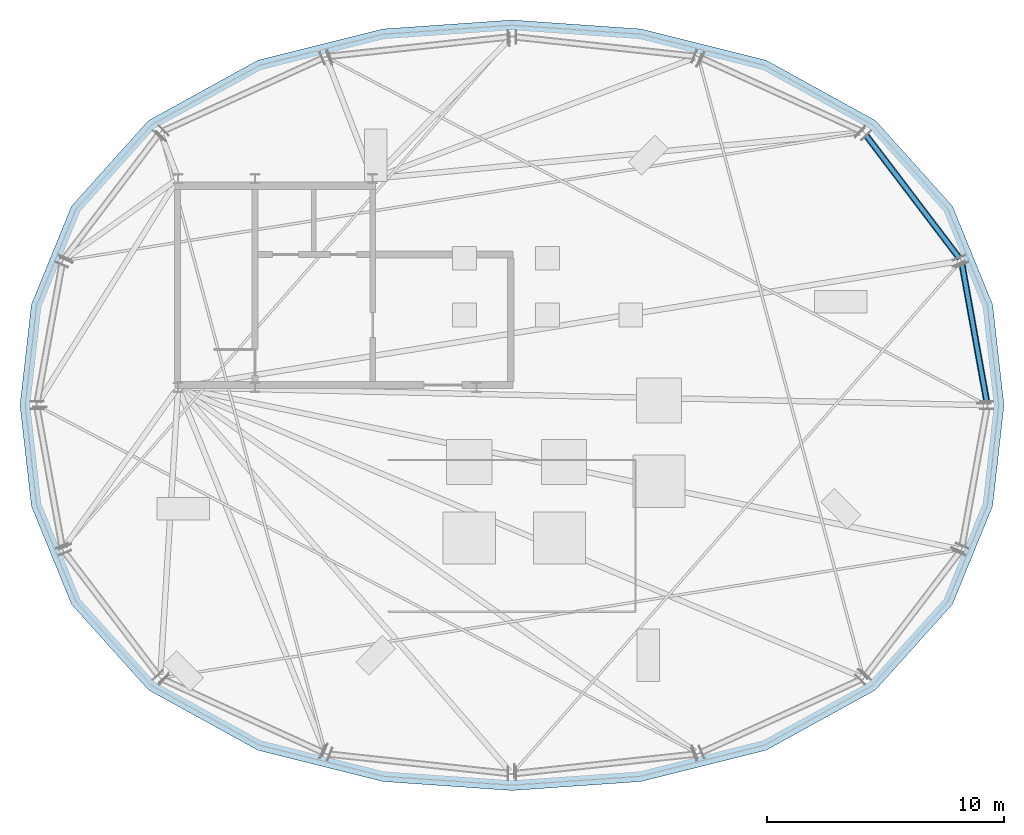
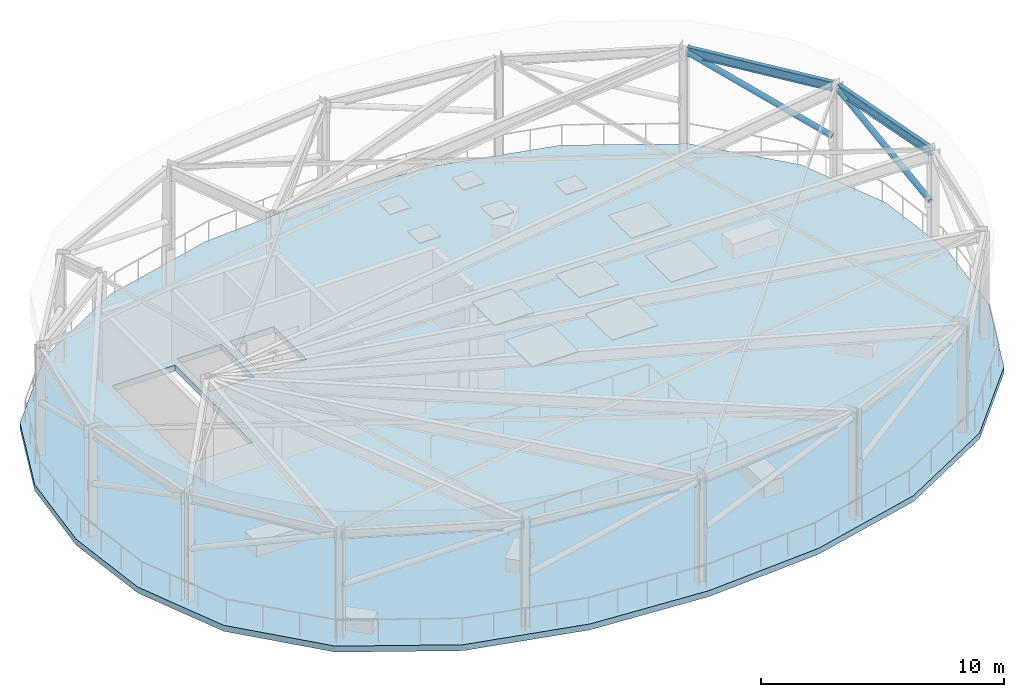
# One storey, part 2 of 6: 2 beams, 2 members, 1 slab.
"""IFC4 building model written with IfcOpenShell, lengths in metres."""

from ifc_helpers import new_model, si_unit, direction, frame, origin, origin_2d, place, context, subcontext, project, spatial, polyline, hollow_circle, i_section, outline, extrude, material, layer, layer_set, material_profile, profile_set, type_object, element, save


model = new_model("IFC4")

# Units and contexts
model_context = context("Model", 3, precision=1e-05, world=origin(), true_north=direction((0.0, 1.0)))
body_context = subcontext(model_context, "Body", "Model", "MODEL_VIEW")
ifc_project = project(units=[si_unit("LENGTHUNIT", "METRE"), si_unit("AREAUNIT", "SQUARE_METRE"), si_unit("VOLUMEUNIT", "CUBIC_METRE"), si_unit("PLANEANGLEUNIT", "RADIAN"), si_unit("MASSUNIT", "GRAM", prefix="KILO")], contexts=[model_context])

# Site, building, storey
site_placement = place(None, origin())
site = spatial("IfcSite", under=ifc_project, at=site_placement, CompositionType="ELEMENT")
building_placement = place(site_placement, origin())
building = spatial("IfcBuilding", under=site, at=building_placement, Name="Haldorwick Loom Tower", CompositionType="ELEMENT")
storey_placement = place(building_placement, frame((0.0, 0.0, 300.5)))
storey = spatial("IfcBuildingStorey", under=building, at=storey_placement, Name="RF", CompositionType="ELEMENT", Elevation=300.5)

# Beams
ifc_material_1 = material(Name="Steel CSA G40.21 350W", Category="steel")
ifc_material_profile_1 = material_profile(ifc_material_1, i_section(OverallWidth=0.193115234375, OverallDepth=0.466064453125, WebThickness=0.011474609375, FlangeThickness=0.01904296875, at=origin_2d()), Name="W460X97", Category="steel")
ifc_profile_set_1 = profile_set([ifc_material_profile_1], Name="Steel CSA G40.21 350W")
beam_type = type_object("IfcBeamType", Name="STR-BM-SP460", PredefinedType="SPANDREL", material=ifc_profile_set_1)
beam_1_placement = place(storey_placement, frame((56.00439453125, 26.162353515625, 5.18701171875), z_axis=(-0.176961464266, 0.984217780862, 0.0), x_axis=(-0.984217780862, -0.176961464266, 0.0)))
element("IfcBeam", 1, at=beam_1_placement, inside=storey, type_object=beam_type, Name="RF Perimeter Spandrel 1", PredefinedType="SPANDREL", context=body_context, shape_type="SweptSolid", body=[
    extrude(i_section(OverallWidth=0.193115234375, OverallDepth=0.466064453125, WebThickness=0.011474609375, FlangeThickness=0.01904296875, at=origin_2d()), origin(), (0.0, 0.0, 1.0), 5.852294921875),
])
beam_2_placement = place(storey_placement, frame((54.839599609375, 32.216064453125, 5.18701171875), z_axis=(-0.604829766421, 0.796354791315, 0.0), x_axis=(-0.796354791315, -0.604829766421, 0.0)))
element("IfcBeam", 2, at=beam_2_placement, inside=storey, type_object=beam_type, Name="RF Perimeter Spandrel 2", PredefinedType="SPANDREL", context=body_context, shape_type="SweptSolid", body=[
    extrude(i_section(OverallWidth=0.193115234375, OverallDepth=0.466064453125, WebThickness=0.011474609375, FlangeThickness=0.01904296875, at=origin_2d()), origin(), (0.0, 0.0, 1.0), 6.4716796875),
])

# Members
ifc_material_profile_2 = material_profile(ifc_material_1, hollow_circle(Radius=0.136474609375, WallThickness=0.009521484375, at=origin_2d()), Name="HSS273X10", Category="steel")
ifc_profile_set_2 = profile_set([ifc_material_profile_2], Name="Steel CSA G40.21 350W")
member_type = type_object("IfcMemberType", Name="STR-MEM-BR273C", PredefinedType="BRACE", material=ifc_profile_set_2)
member_1_placement = place(storey_placement, frame((56.00439453125, 26.162353515625, 2.64990234375), z_axis=(-0.163033528275, 0.906753897358, 0.388866864471), x_axis=(-0.984217780862, -0.176961464266, 0.0)))
element("IfcMember", 3, at=member_1_placement, inside=storey, type_object=member_type, Name="RF Canopy Wind Brace 1", PredefinedType="BRACE", context=body_context, shape_type="SweptSolid", body=[
    extrude(hollow_circle(Radius=0.136474609375, WallThickness=0.009521484375, at=origin_2d()), origin(), (0.0, 0.0, 1.0), 6.352294921875),
])
member_2_placement = place(storey_placement, frame((54.839599609375, 32.216064453125, 2.64990234375), z_axis=(-0.565066848115, 0.744000571553, 0.356598663333), x_axis=(-0.796354791315, -0.604829766421, 0.0)))
element("IfcMember", 4, at=member_2_placement, inside=storey, type_object=member_type, Name="RF Canopy Wind Brace 2", PredefinedType="BRACE", context=body_context, shape_type="SweptSolid", body=[
    extrude(hollow_circle(Radius=0.136474609375, WallThickness=0.009521484375, at=origin_2d()), origin(), (0.0, 0.0, 1.0), 6.92724609375),
])

# Slab
ifc_material_2 = material(Name="Concrete C45 (45 MPa)", Category="concrete")
ifc_layer = layer(ifc_material_2, 0.300048828125, Name="Concrete C45 (45 MPa)", Category="concrete")
ifc_layer_set = layer_set([ifc_layer], Name="Concrete C45 (45 MPa)")
slab_type = type_object("IfcSlabType", Name="STR-SLB-SKYGARDEN300", PredefinedType="ROOF", material=ifc_layer_set)
slab_placement = place(storey_placement, frame((0.0, 0.0, -0.300048828125)))
element("IfcSlab", 5, at=slab_placement, inside=storey, type_object=slab_type, Name="RF Botanical Sky Garden Terrace Slab", PredefinedType="ROOF", context=body_context, shape_type="SweptSolid", body=[
    extrude(outline(polyline([(56.733642578125, 26.0), (56.25244140625, 30.2490234375), (54.561767578125, 34.391357421875), (51.320556640625, 37.99609375), (46.716552734375, 40.5341796875), (41.426513671875, 41.85791015625), (36.0, 42.23486328125), (30.573486328125, 41.85791015625), (25.283447265625, 40.5341796875), (20.679443359375, 37.99609375), (17.438232421875, 34.391357421875), (15.74755859375, 30.2490234375), (15.266357421875, 26.0), (15.74755859375, 21.7509765625), (17.438232421875, 17.608642578125), (20.679443359375, 14.00390625), (25.283447265625, 11.4658203125), (30.573486328125, 10.14208984375), (36.0, 9.76513671875), (41.426513671875, 10.14208984375), (46.716552734375, 11.4658203125), (51.320556640625, 14.00390625), (54.561767578125, 17.608642578125), (56.25244140625, 21.7509765625), (56.733642578125, 26.0)]), holes=[polyline([(22.050048828125, 28.39990234375), (22.050048828125, 34.800048828125), (25.050048828125, 34.800048828125), (25.050048828125, 28.39990234375), (22.050048828125, 28.39990234375)]), polyline([(25.35009765625, 35.14990234375), (27.449951171875, 35.14990234375), (27.449951171875, 32.449951171875), (25.35009765625, 32.449951171875), (25.35009765625, 35.14990234375)]), polyline([(27.85009765625, 35.14990234375), (29.949951171875, 35.14990234375), (29.949951171875, 32.449951171875), (27.85009765625, 32.449951171875), (27.85009765625, 35.14990234375)])]), origin(), (0.0, 0.0, 1.0), 0.300048828125),
])

save(model, "model.ifc")
